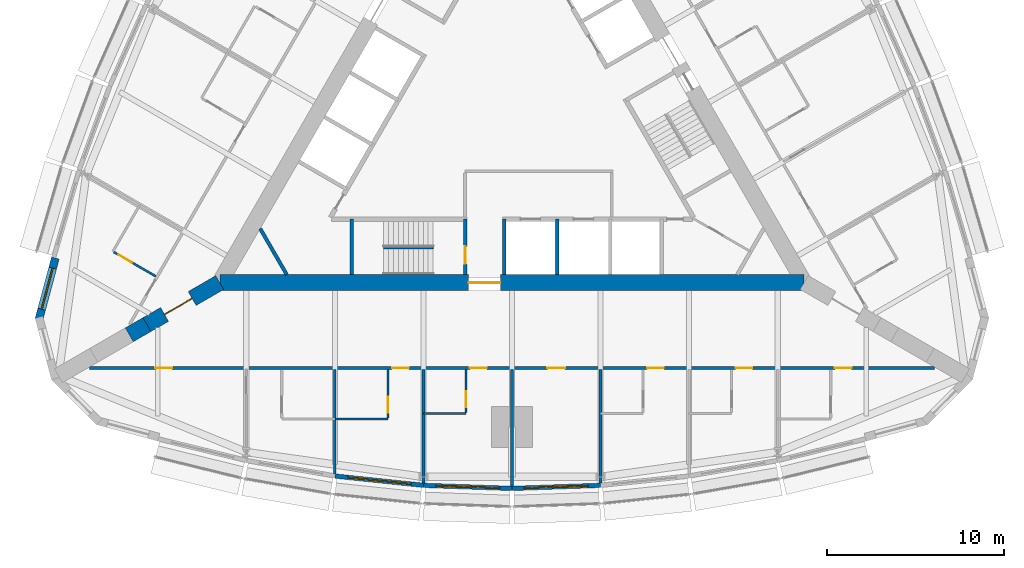
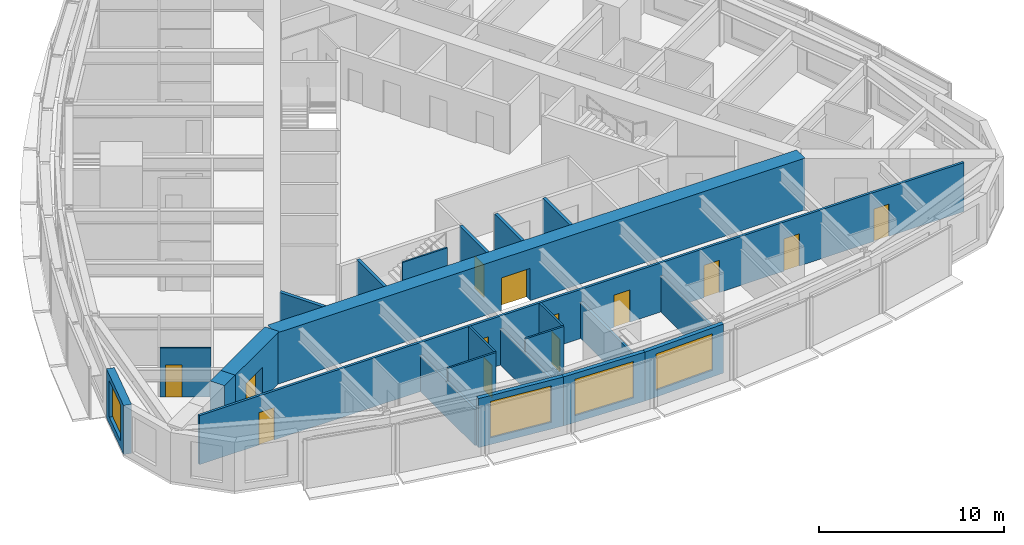
# One storey, part 8 of 14: 23 walls, 13 doors, 4 windows, 17 openings.
"""IFC4 building model written with IfcOpenShell, lengths in metres."""

import ifcopenshell
import ifcopenshell.guid

model = None  # the IFC model being written
_history = None  # IfcOwnerHistory: only IFC2X3 demands one
_inside = {}  # id of a spatial element -> (the spatial element, [elements in it])
_under = {}  # id of a project, library or spatial element -> (it, [spatial elements below it])
_declared = {}  # id of a project -> (the project, [libraries it declares])
_typed = {}  # id of a type object -> (the type object, [elements of that type])
_made_of = {}  # id of a material, layer set ... -> (it, [elements and type objects made of it])


def new_model(schema):
    """Start an empty IFC model of exactly this schema.

    Asked for "IFC4X3", IfcOpenShell would pick the latest addendum, in which some entities
    have other attributes; the version numbers below select the first issue.
    IFC2X3 requires an IfcOwnerHistory on every rooted entity: one is made here for all.
    """
    global model, _history
    if schema == "IFC4X3":
        model = ifcopenshell.file(schema_version=(4, 3, 0, 0))
    else:
        model = ifcopenshell.file(schema=schema)
    _inside.clear()
    _under.clear()
    _declared.clear()
    _typed.clear()
    _made_of.clear()
    _history = None
    if model.schema == "IFC2X3":
        org = make("IfcOrganization", Name="unknown")
        user = make(
            "IfcPersonAndOrganization",
            ThePerson=make("IfcPerson", FamilyName="unknown"),
            TheOrganization=org,
        )
        app = make(
            "IfcApplication",
            ApplicationDeveloper=org,
            Version="unknown",
            ApplicationFullName="unknown",
            ApplicationIdentifier="unknown",
        )
        _history = make(
            "IfcOwnerHistory",
            OwningUser=user,
            OwningApplication=app,
            ChangeAction="ADDED",
            CreationDate=0,
        )
    return model


def make(cls, **values):
    """One entity of the class cls with the attributes given. An attribute that is None is left unset."""
    return model.create_entity(
        cls, **{name: value for name, value in values.items() if value is not None}
    )


def rooted(cls, **values):
    """An entity with a GlobalId (a new one), such as an element, a storey or a relation."""
    return make(cls, GlobalId=ifcopenshell.guid.new(), OwnerHistory=_history, **values)


def si_unit(unit_type, name, prefix=None):
    """IfcSIUnit, for example si_unit("LENGTHUNIT", "METRE", prefix="MILLI")."""
    return make("IfcSIUnit", UnitType=unit_type, Prefix=prefix, Name=name)


def assignment(units):
    """IfcUnitAssignment: the units of a project."""
    return None if units is None else make("IfcUnitAssignment", Units=units)


def point(xyz):
    """IfcCartesianPoint."""
    return None if xyz is None else make("IfcCartesianPoint", Coordinates=xyz)


def direction(xyz):
    """IfcDirection."""
    return None if xyz is None else make("IfcDirection", DirectionRatios=xyz)


def frame(location, z_axis=None, x_axis=None):
    """IfcAxis2Placement3D, a coordinate frame: its origin and axes. An axis left out is left unset."""
    return make(
        "IfcAxis2Placement3D",
        Location=point(location),
        Axis=direction(z_axis),
        RefDirection=direction(x_axis),
    )


def frame_2d(location, x_axis=None):
    """IfcAxis2Placement2D, a coordinate frame in the plane: its origin and x axis."""
    return make(
        "IfcAxis2Placement2D", Location=point(location), RefDirection=direction(x_axis)
    )


def origin():
    """The frame at (0, 0, 0) with its axes left unset."""
    return frame((0.0, 0.0, 0.0))


def place(relative_to, where):
    """IfcLocalPlacement: puts the frame where relative to a parent placement (None: the world)."""
    return make(
        "IfcLocalPlacement", PlacementRelTo=relative_to, RelativePlacement=where
    )


def context(
    kind, dimensions, precision=None, world=None, true_north=None, identifier=None
):
    """IfcGeometricRepresentationContext, for example the 3D "Model" context."""
    return make(
        "IfcGeometricRepresentationContext",
        ContextIdentifier=identifier,
        ContextType=kind,
        CoordinateSpaceDimension=dimensions,
        Precision=precision,
        WorldCoordinateSystem=world,
        TrueNorth=true_north,
    )


def subcontext(parent, identifier, kind, view, scale=None):
    """IfcGeometricRepresentationSubContext, for example "Body" below "Model"."""
    return make(
        "IfcGeometricRepresentationSubContext",
        ContextIdentifier=identifier,
        ContextType=kind,
        ParentContext=parent,
        TargetScale=scale,
        TargetView=view,
    )


def project(units=None, contexts=None):
    """IfcProject with its units and contexts."""
    return rooted(
        "IfcProject",
        Name="project",
        RepresentationContexts=contexts,
        UnitsInContext=assignment(units),
    )


def spatial(cls, under=None, at=None, **own):
    """A site, building, storey or space (cls), placed at a placement, below another one or the project."""
    s = rooted(cls, ObjectPlacement=at, **own)
    if under is not None:
        _under.setdefault(under.id(), (under, []))[1].append(s)
    return s


def profile(cls, at=None, kind="AREA", **sizes):
    """A parametric profile (cls). Its sizes go by their IFC names, for example OverallWidth=200.0."""
    return make(cls, ProfileType=kind, Position=at, **sizes)


def rectangle(**sizes):
    """IfcRectangleProfileDef."""
    return profile("IfcRectangleProfileDef", **sizes)


def extrude(swept, where, along, depth):
    """IfcExtrudedAreaSolid: the profile swept, set in the frame where, extruded along a direction by depth."""
    return make(
        "IfcExtrudedAreaSolid",
        SweptArea=swept,
        Position=where,
        ExtrudedDirection=direction(along),
        Depth=depth,
    )


def shape(context_of_items, identifier, shape_type, items):
    """IfcShapeRepresentation: the items that make up one representation, for example the "Body"."""
    return make(
        "IfcShapeRepresentation",
        ContextOfItems=context_of_items,
        RepresentationIdentifier=identifier,
        RepresentationType=shape_type,
        Items=items,
    )


def material(Name=None, Category=None):
    """IfcMaterial."""
    return make("IfcMaterial", Name=Name, Category=Category)


def layer(
    of_material, thickness, ventilated=None, Name=None, Category=None, Priority=None
):
    """IfcMaterialLayer: one layer of a wall or slab, of a material (None: an air gap)."""
    return make(
        "IfcMaterialLayer",
        Material=of_material,
        LayerThickness=thickness,
        IsVentilated=ventilated,
        Name=Name,
        Category=Category,
        Priority=Priority,
    )


def layer_set(layers, Name=None):
    """IfcMaterialLayerSet."""
    return make("IfcMaterialLayerSet", MaterialLayers=layers, LayerSetName=Name)


def made_of(thing, what):
    """Note that an element or type object is made of a material, layer set ...; save() writes the relation."""
    if what is not None:
        _made_of.setdefault(what.id(), (what, []))[1].append(thing)
    return thing


def type_object(cls, material=None, **own):
    """A type object (cls), such as IfcWallType, which elements share."""
    return made_of(rooted(cls, **own), material)


def element(
    cls,
    number,
    at=None,
    inside=None,
    cuts=None,
    type_object=None,
    material=None,
    context=None,
    identifier="Body",
    shape_type=None,
    held_by="IfcProductDefinitionShape",
    body=None,
    shapes=None,
    **own,
):
    """One element of the class cls, such as IfcWall. Its Tag is "e" and its number.

    at: its placement. inside: the storey or other place that contains it. cuts: it is an
    opening in that element (IfcRelVoidsElement). A single representation is given by context,
    identifier, shape_type and body (its items); several are given by shapes. held_by: the class
    of the entity that holds the representations. save() writes the other relations.
    """
    e = rooted(cls, Tag="e%d" % number, ObjectPlacement=at, **own)
    if body is not None:
        shapes = [shape(context, identifier, shape_type, body)]
    if shapes is not None:
        e.Representation = make(held_by, Representations=shapes)
    if inside is not None:
        _inside.setdefault(inside.id(), (inside, []))[1].append(e)
    if cuts is not None:
        rooted(
            "IfcRelVoidsElement", RelatingBuildingElement=cuts, RelatedOpeningElement=e
        )
    if type_object is not None:
        _typed.setdefault(type_object.id(), (type_object, []))[1].append(e)
    return made_of(e, material)


def fill(opening, filler):
    """IfcRelFillsElement: the door or window that sits in an opening."""
    return rooted(
        "IfcRelFillsElement",
        RelatingOpeningElement=opening,
        RelatedBuildingElement=filler,
    )


def aggregate(whole, parts):
    """IfcRelAggregates: a whole, such as a stair, and the parts it consists of."""
    return rooted("IfcRelAggregates", RelatingObject=whole, RelatedObjects=parts)


def save(model, path):
    """Write the relations noted so far, then the file.

    IfcRelAggregates (storeys below a building ...), IfcRelContainedInSpatialStructure (elements
    in a storey), IfcRelDefinesByType, IfcRelAssociatesMaterial and IfcRelDeclares: one each for
    every whole, place, type object, material and project.
    """
    for whole, parts in _under.values():
        aggregate(whole, parts)
    for where, things in _inside.values():
        rooted(
            "IfcRelContainedInSpatialStructure",
            RelatedElements=things,
            RelatingStructure=where,
        )
    for kind, things in _typed.values():
        rooted("IfcRelDefinesByType", RelatedObjects=things, RelatingType=kind)
    for what, things in _made_of.values():
        rooted("IfcRelAssociatesMaterial", RelatedObjects=things, RelatingMaterial=what)
    for by, libraries in _declared.values():
        rooted("IfcRelDeclares", RelatingContext=by, RelatedDefinitions=libraries)
    model.write(path)


model = new_model("IFC4")

# Units and contexts
model_context = context("Model", 3, precision=1e-05, world=origin(), true_north=direction((0.0, 1.0)))
body_context = subcontext(model_context, "Body", "Model", "MODEL_VIEW")
ifc_project = project(units=[si_unit("LENGTHUNIT", "METRE"), si_unit("AREAUNIT", "SQUARE_METRE"), si_unit("VOLUMEUNIT", "CUBIC_METRE"), si_unit("PLANEANGLEUNIT", "RADIAN"), si_unit("MASSUNIT", "GRAM", prefix="KILO")], contexts=[model_context])

# Site, building, storey
site_placement = place(None, origin())
site = spatial("IfcSite", under=ifc_project, at=site_placement, CompositionType="ELEMENT")
building_placement = place(site_placement, origin())
building = spatial("IfcBuilding", under=site, at=building_placement, Name="Trikona Tower", CompositionType="ELEMENT")
storey_placement = place(building_placement, frame((0.0, 0.0, 152.10009765625)))
storey = spatial("IfcBuildingStorey", under=building, at=storey_placement, Name="L40", CompositionType="ELEMENT", Elevation=152.10009765625)

# Wall
ifc_material_1 = material(Name="Metal stud and cement board", Category="gypsum")
ifc_layer_1 = layer(ifc_material_1, 0.1201171875)
ifc_layer_set_1 = layer_set([ifc_layer_1], Name="Bathroom wall 120")
wall_type_1 = type_object("IfcWallType", Name="Bathroom wall 120", PredefinedType="PLUMBINGWALL", material=ifc_layer_set_1)
wall_1_placement = place(storey_placement, frame((-10.0, -17.226318359375, 0.0), z_axis=(0.0, 0.0, 1.0), x_axis=(1.0, 0.0, 0.0)))
element("IfcWall", 1, at=wall_1_placement, inside=storey, type_object=wall_type_1, Name="Bathroom wall 4002", PredefinedType="PLUMBINGWALL", context=body_context, shape_type="SweptSolid", body=[
    extrude(rectangle(XDim=3.0, YDim=0.1201171875, at=frame_2d((1.5, 0.0))), origin(), (0.0, 0.0, 1.0), 3.23486328125),
])

# Wall, opening, door
wall_2_placement = place(storey_placement, frame((-7.0, -14.42626953125, 0.0), z_axis=(0.0, 0.0, 1.0), x_axis=(0.0, -1.0, 0.0)))
wall_2 = element("IfcWall", 2, at=wall_2_placement, inside=storey, type_object=wall_type_1, Name="Bathroom wall 4002", PredefinedType="PLUMBINGWALL", context=body_context, shape_type="SweptSolid", body=[
    extrude(rectangle(XDim=2.739990234375, YDim=0.1201171875, at=frame_2d((1.3701171875, 0.0))), origin(), (0.0, 0.0, 1.0), 3.23486328125),
])
opening_1_placement = place(wall_2_placement, frame((1.550048828125, 0.0, 0.0)))
opening_1 = element("IfcOpeningElement", 3, at=opening_1_placement, cuts=wall_2, Name="Opening D2", PredefinedType="OPENING", context=body_context, shape_type="SweptSolid", body=[
    extrude(rectangle(XDim=0.89990234375, YDim=2.1298828125, at=frame_2d((0.449951171875, 1.06494140625))), frame((0.0, 0.070068359375, 0.0), z_axis=(0.0, -1.0, 0.0), x_axis=(1.0, 0.0, 0.0)), (0.0, 0.0, 1.0), 0.14013671875),
])
ifc_material_2 = material(Name="Steel door frame with solid-core timber leaf", Category="steel")
door_type_1 = type_object("IfcDoorType", Name="Bathroom door 900x2130", OperationType="SLIDING_TO_LEFT", PredefinedType="DOOR", material=ifc_material_2)
door_1_placement = place(opening_1_placement, origin())
door_1 = element("IfcDoor", 4, at=door_1_placement, inside=storey, type_object=door_type_1, Name="Bathroom door 4002", OperationType="SLIDING_TO_LEFT", OverallHeight=2.1298828125, OverallWidth=0.89990234375, PredefinedType="DOOR", context=body_context, shape_type="SweptSolid", body=[
    extrude(rectangle(XDim=0.89990234375, YDim=2.1298828125, at=frame_2d((0.449951171875, 1.06494140625))), frame((0.0, 0.02490234375, 0.0), z_axis=(0.0, -1.0, 0.0), x_axis=(1.0, 0.0, 0.0)), (0.0, 0.0, 1.0), 0.050048828125),
])
fill(opening_1, door_1)

# Wall
wall_3_placement = place(storey_placement, frame((-5.0, -16.92626953125, 0.0), z_axis=(0.0, 0.0, 1.0), x_axis=(1.0, 0.0, 0.0)))
element("IfcWall", 5, at=wall_3_placement, inside=storey, type_object=wall_type_1, Name="Bathroom wall 4003", PredefinedType="PLUMBINGWALL", context=body_context, shape_type="SweptSolid", body=[
    extrude(rectangle(XDim=2.39990234375, YDim=0.1201171875, at=frame_2d((1.199951171875, 0.0))), origin(), (0.0, 0.0, 1.0), 3.23486328125),
])

# Wall, opening, door
wall_4_placement = place(storey_placement, frame((-2.60009765625, -14.42626953125, 0.0), z_axis=(0.0, 0.0, 1.0), x_axis=(0.0, -1.0, 0.0)))
wall_4 = element("IfcWall", 6, at=wall_4_placement, inside=storey, type_object=wall_type_1, Name="Bathroom wall 4003", PredefinedType="PLUMBINGWALL", context=body_context, shape_type="SweptSolid", body=[
    extrude(rectangle(XDim=2.43994140625, YDim=0.1201171875, at=frame_2d((1.219970703125, 0.0))), origin(), (0.0, 0.0, 1.0), 3.23486328125),
])
opening_2_placement = place(wall_4_placement, frame((1.25, 0.0, 0.0)))
opening_2 = element("IfcOpeningElement", 7, at=opening_2_placement, cuts=wall_4, Name="Opening D2", PredefinedType="OPENING", context=body_context, shape_type="SweptSolid", body=[
    extrude(rectangle(XDim=0.89990234375, YDim=2.1298828125, at=frame_2d((0.449951171875, 1.06494140625))), frame((0.0, 0.070068359375, 0.0), z_axis=(0.0, -1.0, 0.0), x_axis=(1.0, 0.0, 0.0)), (0.0, 0.0, 1.0), 0.14013671875),
])
door_2_placement = place(opening_2_placement, origin())
door_2 = element("IfcDoor", 8, at=door_2_placement, inside=storey, type_object=door_type_1, Name="Bathroom door 4003", OperationType="SLIDING_TO_LEFT", OverallHeight=2.1298828125, OverallWidth=0.89990234375, PredefinedType="DOOR", context=body_context, shape_type="SweptSolid", body=[
    extrude(rectangle(XDim=0.89990234375, YDim=2.1298828125, at=frame_2d((0.449951171875, 1.06494140625))), frame((0.0, 0.02490234375, 0.0), z_axis=(0.0, -1.0, 0.0), x_axis=(1.0, 0.0, 0.0)), (0.0, 0.0, 1.0), 0.050048828125),
])
fill(opening_2, door_2)

wall_5_placement = place(storey_placement, frame((-20.10791015625, -9.17529296875, 0.0), z_axis=(0.0, 0.0, 1.0), x_axis=(-0.866035715982, 0.499982138324, 0.0)))
wall_5 = element("IfcWall", 9, at=wall_5_placement, inside=storey, type_object=wall_type_1, Name="Bathroom wall 4017", PredefinedType="PLUMBINGWALL", context=body_context, shape_type="SweptSolid", body=[
    extrude(rectangle(XDim=2.73974609375, YDim=0.1201171875, at=frame_2d((1.369873046875, 0.0))), origin(), (0.0, 0.0, 1.0), 3.23486328125),
])
opening_3_placement = place(wall_5_placement, frame((1.550048828125, 0.0, 0.0)))
opening_3 = element("IfcOpeningElement", 10, at=opening_3_placement, cuts=wall_5, Name="Opening D2", PredefinedType="OPENING", context=body_context, shape_type="SweptSolid", body=[
    extrude(rectangle(XDim=0.89990234375, YDim=2.1298828125, at=frame_2d((0.449951171875, 1.06494140625))), frame((0.0, 0.070068359375, 0.0), z_axis=(0.0, -1.0, 0.0), x_axis=(1.0, 0.0, 0.0)), (0.0, 0.0, 1.0), 0.14013671875),
])
door_3_placement = place(opening_3_placement, origin())
door_3 = element("IfcDoor", 11, at=door_3_placement, inside=storey, type_object=door_type_1, Name="Bathroom door 4017", OperationType="SLIDING_TO_LEFT", OverallHeight=2.1298828125, OverallWidth=0.89990234375, PredefinedType="DOOR", context=body_context, shape_type="SweptSolid", body=[
    extrude(rectangle(XDim=0.89990234375, YDim=2.1298828125, at=frame_2d((0.449951171875, 1.06494140625))), frame((0.0, 0.02490234375, 0.0), z_axis=(0.0, -1.0, 0.0), x_axis=(1.0, 0.0, 0.0)), (0.0, 0.0, 1.0), 0.050048828125),
])
fill(opening_3, door_3)

# Wall, opening, window
ifc_material_3 = material(Name="Brick-faced precast concrete", Category="masonry")
ifc_layer_2 = layer(ifc_material_3, 0.449951171875)
ifc_layer_set_2 = layer_set([ifc_layer_2], Name="Brick-faced corner wall 450")
wall_type_2 = type_object("IfcWallType", Name="Brick-faced corner wall 450", PredefinedType="SOLIDWALL", material=ifc_layer_set_2)
wall_6_placement = place(storey_placement, frame((-25.78271484375, -8.14111328125, 0.0), z_axis=(0.0, 0.0, 1.0), x_axis=(-0.258823421857, -0.965924653531, 0.0)))
wall_6 = element("IfcWall", 12, at=wall_6_placement, inside=storey, type_object=wall_type_2, Name="External wall L40-32", PredefinedType="SOLIDWALL", context=body_context, shape_type="SweptSolid", body=[
    extrude(rectangle(XDim=3.58642578125, YDim=0.449951171875, at=frame_2d((1.793212890625, 0.0))), origin(), (0.0, 0.0, 1.0), 3.23486328125),
])
opening_4_placement = place(wall_6_placement, frame((0.593017578125, 0.0, 0.449951171875)))
opening_4 = element("IfcOpeningElement", 13, at=opening_4_placement, cuts=wall_6, Name="Opening W2424", PredefinedType="OPENING", context=body_context, shape_type="SweptSolid", body=[
    extrude(rectangle(XDim=2.39990234375, YDim=2.39990234375, at=frame_2d((1.199951171875, 1.199951171875))), frame((0.0, 0.23486328125, 0.0), z_axis=(0.0, -1.0, 0.0), x_axis=(1.0, 0.0, 0.0)), (0.0, 0.0, 1.0), 0.469970703125),
])
ifc_material_4 = material(Name="Aluminium-framed double glazing", Category="aluminium")
window_type_1 = type_object("IfcWindowType", Name="Window 2400x2400", PartitioningType="SINGLE_PANEL", PredefinedType="WINDOW", material=ifc_material_4)
window_1_placement = place(opening_4_placement, origin())
window_1 = element("IfcWindow", 14, at=window_1_placement, inside=storey, type_object=window_type_1, Name="Window 4017", OverallHeight=2.39990234375, OverallWidth=2.39990234375, PartitioningType="SINGLE_PANEL", PredefinedType="WINDOW", context=body_context, shape_type="SweptSolid", body=[
    extrude(rectangle(XDim=2.39990234375, YDim=2.39990234375, at=frame_2d((1.199951171875, 1.199951171875))), frame((0.0, 0.030029296875, 0.0), z_axis=(0.0, -1.0, 0.0), x_axis=(1.0, 0.0, 0.0)), (0.0, 0.0, 1.0), 0.06005859375),
])
fill(opening_4, window_1)

# Wall, opening, door
ifc_material_5 = material(Name="Concrete f'c 10000 psi", Category="concrete")
ifc_layer_3 = layer(ifc_material_5, 0.89990234375)
ifc_layer_set_3 = layer_set([ifc_layer_3], Name="Buttress wall 900")
wall_type_3 = type_object("IfcWallType", Name="Buttress wall 900", PredefinedType="SHEAR", material=ifc_layer_set_3)
wall_7_placement = place(storey_placement, frame((-16.5, -9.5263671875, 0.0), z_axis=(0.0, 0.0, 1.0), x_axis=(-0.866031398331, -0.499989616998, 0.0)))
wall_7 = element("IfcWall", 15, at=wall_7_placement, inside=storey, type_object=wall_type_3, Name="Buttress wall 3", PredefinedType="SHEAR", context=body_context, shape_type="SweptSolid", body=[
    extrude(rectangle(XDim=4.74609375, YDim=0.89990234375, at=frame_2d((2.373046875, 0.0))), origin(), (0.0, 0.0, 1.0), 3.39990234375),
])
opening_5_placement = place(wall_7_placement, frame((1.800048828125, 0.0, 0.0)))
opening_5 = element("IfcOpeningElement", 16, at=opening_5_placement, cuts=wall_7, Name="Opening D10", PredefinedType="OPENING", context=body_context, shape_type="SweptSolid", body=[
    extrude(rectangle(XDim=1.800048828125, YDim=2.1298828125, at=frame_2d((0.89990234375, 1.06494140625))), frame((0.0, 0.4599609375, 0.0), z_axis=(0.0, -1.0, 0.0), x_axis=(1.0, 0.0, 0.0)), (0.0, 0.0, 1.0), 0.919921875),
])
ifc_material_6 = material(Name="Hollow metal door and frame", Category="steel")
door_type_2 = type_object("IfcDoorType", Name="Cross-corridor door pair 1800x2130", OperationType="DOUBLE_DOOR_DOUBLE_SWING", PredefinedType="DOOR", material=ifc_material_6)
door_4_placement = place(opening_5_placement, origin())
door_4 = element("IfcDoor", 17, at=door_4_placement, inside=storey, type_object=door_type_2, Name="Cross-corridor door 3", OperationType="DOUBLE_DOOR_DOUBLE_SWING", OverallHeight=2.1298828125, OverallWidth=1.800048828125, PredefinedType="DOOR", context=body_context, shape_type="SweptSolid", body=[
    extrude(rectangle(XDim=1.800048828125, YDim=2.1298828125, at=frame_2d((0.89990234375, 1.06494140625))), frame((0.0, 0.02490234375, 0.0), z_axis=(0.0, -1.0, 0.0), x_axis=(1.0, 0.0, 0.0)), (0.0, 0.0, 1.0), 0.050048828125),
])
fill(opening_5, door_4)

# Wall
wall_8_placement = place(storey_placement, frame((-20.6103515625, -11.8994140625, 0.0), z_axis=(0.0, 0.0, 1.0), x_axis=(-0.866009537788, -0.500027479704, 0.0)))
element("IfcWall", 18, at=wall_8_placement, inside=storey, type_object=wall_type_3, Name="Buttress wall 3 part 2", PredefinedType="SHEAR", context=body_context, shape_type="SweptSolid", body=[
    extrude(rectangle(XDim=1.15478515625, YDim=0.89990234375, at=frame_2d((0.577392578125, 0.0))), origin(), (0.0, 0.0, 1.0), 3.39990234375),
])

# Wall, opening, door
ifc_material_7 = material(Name="Concrete f'c 10000 psi", Category="concrete")
ifc_layer_4 = layer(ifc_material_7, 0.89990234375)
ifc_layer_set_4 = layer_set([ifc_layer_4], Name="Core wall 900")
wall_type_4 = type_object("IfcWallType", Name="Core wall 900", PredefinedType="SHEAR", material=ifc_layer_set_4)
wall_9_placement = place(storey_placement, frame((-16.5, -9.5263671875, 0.0), z_axis=(0.0, 0.0, 1.0), x_axis=(1.0, 0.0, 0.0)))
wall_9 = element("IfcWall", 19, at=wall_9_placement, inside=storey, type_object=wall_type_4, Name="Core wall A", PredefinedType="SHEAR", context=body_context, shape_type="SweptSolid", body=[
    extrude(rectangle(XDim=33.0, YDim=0.89990234375, at=frame_2d((16.5, 0.0))), origin(), (0.0, 0.0, 1.0), 3.39990234375),
])
opening_6_placement = place(wall_9_placement, frame((14.050048828125, 0.0, 0.0)))
opening_6 = element("IfcOpeningElement", 20, at=opening_6_placement, cuts=wall_9, Name="Opening D6", PredefinedType="OPENING", context=body_context, shape_type="SweptSolid", body=[
    extrude(rectangle(XDim=1.800048828125, YDim=2.1298828125, at=frame_2d((0.89990234375, 1.06494140625))), frame((0.0, 0.4599609375, 0.0), z_axis=(0.0, -1.0, 0.0), x_axis=(1.0, 0.0, 0.0)), (0.0, 0.0, 1.0), 0.919921875),
])
ifc_material_8 = material(Name="Hollow metal door and frame", Category="steel")
door_type_3 = type_object("IfcDoorType", Name="Lobby door pair 1800x2130", OperationType="DOUBLE_DOOR_SINGLE_SWING", PredefinedType="DOOR", material=ifc_material_8)
door_5_placement = place(opening_6_placement, origin())
door_5 = element("IfcDoor", 21, at=door_5_placement, inside=storey, type_object=door_type_3, Name="Fire service lift lobby door", OperationType="DOUBLE_DOOR_SINGLE_SWING", OverallHeight=2.1298828125, OverallWidth=1.800048828125, PredefinedType="DOOR", context=body_context, shape_type="SweptSolid", body=[
    extrude(rectangle(XDim=1.800048828125, YDim=2.1298828125, at=frame_2d((0.89990234375, 1.06494140625))), frame((0.0, 0.02490234375, 0.0), z_axis=(0.0, -1.0, 0.0), x_axis=(1.0, 0.0, 0.0)), (0.0, 0.0, 1.0), 0.050048828125),
])
fill(opening_6, door_5)

# Wall, openings, doors
ifc_material_9 = material(Name="Metal stud and gypsum board, 1-hour", Category="gypsum")
ifc_layer_5 = layer(ifc_material_9, 0.14990234375)
ifc_layer_set_5 = layer_set([ifc_layer_5], Name="Corridor wall 150")
wall_type_5 = type_object("IfcWallType", Name="Corridor wall 150", PredefinedType="PARTITIONING", material=ifc_layer_set_5)
wall_10_placement = place(storey_placement, frame((-23.857177734375, -14.351318359375, 0.0), z_axis=(0.0, 0.0, 1.0), x_axis=(1.0, 0.0, 0.0)))
wall_10 = element("IfcWall", 22, at=wall_10_placement, inside=storey, type_object=wall_type_5, Name="Corridor wall L40-1", PredefinedType="PARTITIONING", context=body_context, shape_type="SweptSolid", body=[
    extrude(rectangle(XDim=47.71435546875, YDim=0.14990234375, at=frame_2d((23.857177734375, 0.0))), origin(), (0.0, 0.0, 1.0), 3.23486328125),
])
opening_7_placement = place(wall_10_placement, frame((3.723388671875, 0.0, 0.0)))
opening_7 = element("IfcOpeningElement", 23, at=opening_7_placement, cuts=wall_10, Name="Opening D1", PredefinedType="OPENING", context=body_context, shape_type="SweptSolid", body=[
    extrude(rectangle(XDim=0.949951171875, YDim=2.1298828125, at=frame_2d((0.47509765625, 1.06494140625))), frame((0.0, 0.0849609375, 0.0), z_axis=(0.0, -1.0, 0.0), x_axis=(1.0, 0.0, 0.0)), (0.0, 0.0, 1.0), 0.169921875),
])
opening_8_placement = place(wall_10_placement, frame((17.08203125, 0.0, 0.0)))
opening_8 = element("IfcOpeningElement", 24, at=opening_8_placement, cuts=wall_10, Name="Opening D1", PredefinedType="OPENING", context=body_context, shape_type="SweptSolid", body=[
    extrude(rectangle(XDim=0.949951171875, YDim=2.1298828125, at=frame_2d((0.47509765625, 1.06494140625))), frame((0.0, 0.0849609375, 0.0), z_axis=(0.0, -1.0, 0.0), x_axis=(1.0, 0.0, 0.0)), (0.0, 0.0, 1.0), 0.169921875),
])
opening_9_placement = place(wall_10_placement, frame((21.482177734375, 0.0, 0.0)))
opening_9 = element("IfcOpeningElement", 25, at=opening_9_placement, cuts=wall_10, Name="Opening D1", PredefinedType="OPENING", context=body_context, shape_type="SweptSolid", body=[
    extrude(rectangle(XDim=0.949951171875, YDim=2.1298828125, at=frame_2d((0.47509765625, 1.06494140625))), frame((0.0, 0.0849609375, 0.0), z_axis=(0.0, -1.0, 0.0), x_axis=(1.0, 0.0, 0.0)), (0.0, 0.0, 1.0), 0.169921875),
])
opening_10_placement = place(wall_10_placement, frame((25.857177734375, 0.0, 0.0)))
opening_10 = element("IfcOpeningElement", 26, at=opening_10_placement, cuts=wall_10, Name="Opening D3", PredefinedType="OPENING", context=body_context, shape_type="SweptSolid", body=[
    extrude(rectangle(XDim=1.0, YDim=2.1298828125, at=frame_2d((0.5, 1.06494140625))), frame((0.0, 0.0849609375, 0.0), z_axis=(0.0, -1.0, 0.0), x_axis=(1.0, 0.0, 0.0)), (0.0, 0.0, 1.0), 0.169921875),
])
opening_11_placement = place(wall_10_placement, frame((31.482177734375, 0.0, 0.0)))
opening_11 = element("IfcOpeningElement", 27, at=opening_11_placement, cuts=wall_10, Name="Opening D1", PredefinedType="OPENING", context=body_context, shape_type="SweptSolid", body=[
    extrude(rectangle(XDim=0.949951171875, YDim=2.1298828125, at=frame_2d((0.47509765625, 1.06494140625))), frame((0.0, 0.0849609375, 0.0), z_axis=(0.0, -1.0, 0.0), x_axis=(1.0, 0.0, 0.0)), (0.0, 0.0, 1.0), 0.169921875),
])
opening_12_placement = place(wall_10_placement, frame((36.482177734375, 0.0, 0.0)))
opening_12 = element("IfcOpeningElement", 28, at=opening_12_placement, cuts=wall_10, Name="Opening D1", PredefinedType="OPENING", context=body_context, shape_type="SweptSolid", body=[
    extrude(rectangle(XDim=0.949951171875, YDim=2.1298828125, at=frame_2d((0.47509765625, 1.06494140625))), frame((0.0, 0.0849609375, 0.0), z_axis=(0.0, -1.0, 0.0), x_axis=(1.0, 0.0, 0.0)), (0.0, 0.0, 1.0), 0.169921875),
])
opening_13_placement = place(wall_10_placement, frame((42.08203125, 0.0, 0.0)))
opening_13 = element("IfcOpeningElement", 29, at=opening_13_placement, cuts=wall_10, Name="Opening D1", PredefinedType="OPENING", context=body_context, shape_type="SweptSolid", body=[
    extrude(rectangle(XDim=0.949951171875, YDim=2.1298828125, at=frame_2d((0.47509765625, 1.06494140625))), frame((0.0, 0.0849609375, 0.0), z_axis=(0.0, -1.0, 0.0), x_axis=(1.0, 0.0, 0.0)), (0.0, 0.0, 1.0), 0.169921875),
])
ifc_material_10 = material(Name="Steel door frame with solid-core timber leaf", Category="steel")
door_type_4 = type_object("IfcDoorType", Name="Guest room door 950x2130", OperationType="SINGLE_SWING_LEFT", PredefinedType="DOOR", material=ifc_material_10)
door_6_placement = place(opening_7_placement, origin())
door_6 = element("IfcDoor", 30, at=door_6_placement, inside=storey, type_object=door_type_4, Name="Room door 4001", OperationType="SINGLE_SWING_LEFT", OverallHeight=2.1298828125, OverallWidth=0.949951171875, PredefinedType="DOOR", context=body_context, shape_type="SweptSolid", body=[
    extrude(rectangle(XDim=0.949951171875, YDim=2.1298828125, at=frame_2d((0.47509765625, 1.06494140625))), frame((0.0, 0.02490234375, 0.0), z_axis=(0.0, -1.0, 0.0), x_axis=(1.0, 0.0, 0.0)), (0.0, 0.0, 1.0), 0.050048828125),
])
fill(opening_7, door_6)
door_7_placement = place(opening_8_placement, origin())
door_7 = element("IfcDoor", 31, at=door_7_placement, inside=storey, type_object=door_type_4, Name="Room door 4002", OperationType="SINGLE_SWING_RIGHT", OverallHeight=2.1298828125, OverallWidth=0.949951171875, PredefinedType="DOOR", context=body_context, shape_type="SweptSolid", body=[
    extrude(rectangle(XDim=0.949951171875, YDim=2.1298828125, at=frame_2d((0.47509765625, 1.06494140625))), frame((0.0, 0.02490234375, 0.0), z_axis=(0.0, -1.0, 0.0), x_axis=(1.0, 0.0, 0.0)), (0.0, 0.0, 1.0), 0.050048828125),
])
fill(opening_8, door_7)
door_8_placement = place(opening_9_placement, origin())
door_8 = element("IfcDoor", 32, at=door_8_placement, inside=storey, type_object=door_type_4, Name="Room door 4003", OperationType="SINGLE_SWING_LEFT", OverallHeight=2.1298828125, OverallWidth=0.949951171875, PredefinedType="DOOR", context=body_context, shape_type="SweptSolid", body=[
    extrude(rectangle(XDim=0.949951171875, YDim=2.1298828125, at=frame_2d((0.47509765625, 1.06494140625))), frame((0.0, 0.02490234375, 0.0), z_axis=(0.0, -1.0, 0.0), x_axis=(1.0, 0.0, 0.0)), (0.0, 0.0, 1.0), 0.050048828125),
])
fill(opening_9, door_8)
door_9_placement = place(opening_11_placement, origin())
door_9 = element("IfcDoor", 33, at=door_9_placement, inside=storey, type_object=door_type_4, Name="Room door 4004", OperationType="SINGLE_SWING_LEFT", OverallHeight=2.1298828125, OverallWidth=0.949951171875, PredefinedType="DOOR", context=body_context, shape_type="SweptSolid", body=[
    extrude(rectangle(XDim=0.949951171875, YDim=2.1298828125, at=frame_2d((0.47509765625, 1.06494140625))), frame((0.0, 0.02490234375, 0.0), z_axis=(0.0, -1.0, 0.0), x_axis=(1.0, 0.0, 0.0)), (0.0, 0.0, 1.0), 0.050048828125),
])
fill(opening_11, door_9)
door_10_placement = place(opening_12_placement, origin())
door_10 = element("IfcDoor", 34, at=door_10_placement, inside=storey, type_object=door_type_4, Name="Room door 4005", OperationType="SINGLE_SWING_RIGHT", OverallHeight=2.1298828125, OverallWidth=0.949951171875, PredefinedType="DOOR", context=body_context, shape_type="SweptSolid", body=[
    extrude(rectangle(XDim=0.949951171875, YDim=2.1298828125, at=frame_2d((0.47509765625, 1.06494140625))), frame((0.0, 0.02490234375, 0.0), z_axis=(0.0, -1.0, 0.0), x_axis=(1.0, 0.0, 0.0)), (0.0, 0.0, 1.0), 0.050048828125),
])
fill(opening_12, door_10)
door_11_placement = place(opening_13_placement, origin())
door_11 = element("IfcDoor", 35, at=door_11_placement, inside=storey, type_object=door_type_4, Name="Room door 4006", OperationType="SINGLE_SWING_LEFT", OverallHeight=2.1298828125, OverallWidth=0.949951171875, PredefinedType="DOOR", context=body_context, shape_type="SweptSolid", body=[
    extrude(rectangle(XDim=0.949951171875, YDim=2.1298828125, at=frame_2d((0.47509765625, 1.06494140625))), frame((0.0, 0.02490234375, 0.0), z_axis=(0.0, -1.0, 0.0), x_axis=(1.0, 0.0, 0.0)), (0.0, 0.0, 1.0), 0.050048828125),
])
fill(opening_13, door_11)
ifc_material_11 = material(Name="Steel door frame with solid-core timber leaf", Category="steel")
door_type_5 = type_object("IfcDoorType", Name="Room door 1000x2130", OperationType="SINGLE_SWING_LEFT", PredefinedType="DOOR", material=ifc_material_11)
door_12_placement = place(opening_10_placement, origin())
door_12 = element("IfcDoor", 36, at=door_12_placement, inside=storey, type_object=door_type_5, Name="Door Housekeeping pantry", OperationType="SINGLE_SWING_RIGHT", OverallHeight=2.1298828125, OverallWidth=1.0, PredefinedType="DOOR", context=body_context, shape_type="SweptSolid", body=[
    extrude(rectangle(XDim=1.0, YDim=2.1298828125, at=frame_2d((0.5, 1.06494140625))), frame((0.0, 0.02490234375, 0.0), z_axis=(0.0, -1.0, 0.0), x_axis=(1.0, 0.0, 0.0)), (0.0, 0.0, 1.0), 0.050048828125),
])
fill(opening_10, door_12)

# Wall, opening, window
ifc_material_12 = material(Name="Insulated precast concrete spandrel panel", Category="concrete")
ifc_layer_6 = layer(ifc_material_12, 0.25)
ifc_layer_set_6 = layer_set([ifc_layer_6], Name="Inner skin wall 250")
wall_type_6 = type_object("IfcWallType", Name="Inner skin wall 250", PredefinedType="STANDARD", material=ifc_layer_set_6)
wall_11_placement = place(storey_placement, frame((-9.98681640625, -20.450927734375, 0.0), z_axis=(0.0, 0.0, 1.0), x_axis=(0.994534683851, -0.104406717299, 0.0)))
wall_11 = element("IfcWall", 37, at=wall_11_placement, inside=storey, type_object=wall_type_6, Name="External wall L40-02", PredefinedType="STANDARD", context=body_context, shape_type="SweptSolid", body=[
    extrude(rectangle(XDim=5.027587890625, YDim=0.25, at=frame_2d((2.513671875, 0.0))), origin(), (0.0, 0.0, 1.0), 3.23486328125),
])
opening_14_placement = place(wall_11_placement, frame((0.713623046875, 0.0, 0.449951171875)))
opening_14 = element("IfcOpeningElement", 38, at=opening_14_placement, cuts=wall_11, Name="Opening W3624", PredefinedType="OPENING", context=body_context, shape_type="SweptSolid", body=[
    extrude(rectangle(XDim=3.60009765625, YDim=2.39990234375, at=frame_2d((1.800048828125, 1.199951171875))), frame((0.0, 0.135009765625, 0.0), z_axis=(0.0, -1.0, 0.0), x_axis=(1.0, 0.0, 0.0)), (0.0, 0.0, 1.0), 0.27001953125),
])
ifc_material_13 = material(Name="Aluminium-framed double glazing", Category="aluminium")
window_type_2 = type_object("IfcWindowType", Name="Window 3600x2400", PartitioningType="SINGLE_PANEL", PredefinedType="WINDOW", material=ifc_material_13)
window_2_placement = place(opening_14_placement, origin())
window_2 = element("IfcWindow", 39, at=window_2_placement, inside=storey, type_object=window_type_2, Name="Window 4002", OverallHeight=2.39990234375, OverallWidth=3.60009765625, PartitioningType="SINGLE_PANEL", PredefinedType="WINDOW", context=body_context, shape_type="SweptSolid", body=[
    extrude(rectangle(XDim=3.60009765625, YDim=2.39990234375, at=frame_2d((1.800048828125, 1.199951171875))), frame((0.0, 0.030029296875, 0.0), z_axis=(0.0, -1.0, 0.0), x_axis=(1.0, 0.0, 0.0)), (0.0, 0.0, 1.0), 0.06005859375),
])
fill(opening_14, window_2)

wall_12_placement = place(storey_placement, frame((-4.99560546875, -20.975341796875, 0.0), z_axis=(0.0, 0.0, 1.0), x_axis=(0.999387720943, -0.034988329879, 0.0)))
wall_12 = element("IfcWall", 40, at=wall_12_placement, inside=storey, type_object=wall_type_6, Name="External wall L40-03", PredefinedType="STANDARD", context=body_context, shape_type="SweptSolid", body=[
    extrude(rectangle(XDim=5.003173828125, YDim=0.25, at=frame_2d((2.50146484375, 0.0))), origin(), (0.0, 0.0, 1.0), 3.23486328125),
])
opening_15_placement = place(wall_12_placement, frame((0.701416015625, 0.0, 0.449951171875)))
opening_15 = element("IfcOpeningElement", 41, at=opening_15_placement, cuts=wall_12, Name="Opening W3624", PredefinedType="OPENING", context=body_context, shape_type="SweptSolid", body=[
    extrude(rectangle(XDim=3.60009765625, YDim=2.39990234375, at=frame_2d((1.800048828125, 1.199951171875))), frame((0.0, 0.135009765625, 0.0), z_axis=(0.0, -1.0, 0.0), x_axis=(1.0, 0.0, 0.0)), (0.0, 0.0, 1.0), 0.27001953125),
])
window_3_placement = place(opening_15_placement, origin())
window_3 = element("IfcWindow", 42, at=window_3_placement, inside=storey, type_object=window_type_2, Name="Window 4003", OverallHeight=2.39990234375, OverallWidth=3.60009765625, PartitioningType="SINGLE_PANEL", PredefinedType="WINDOW", context=body_context, shape_type="SweptSolid", body=[
    extrude(rectangle(XDim=3.60009765625, YDim=2.39990234375, at=frame_2d((1.800048828125, 1.199951171875))), frame((0.0, 0.030029296875, 0.0), z_axis=(0.0, -1.0, 0.0), x_axis=(1.0, 0.0, 0.0)), (0.0, 0.0, 1.0), 0.06005859375),
])
fill(opening_15, window_3)

wall_13_placement = place(storey_placement, frame((-0.00439453125, -21.150390625, 0.0), z_axis=(0.0, 0.0, 1.0), x_axis=(0.999387720943, 0.034988329879, 0.0)))
wall_13 = element("IfcWall", 43, at=wall_13_placement, inside=storey, type_object=wall_type_6, Name="External wall L40-04", PredefinedType="STANDARD", context=body_context, shape_type="SweptSolid", body=[
    extrude(rectangle(XDim=5.003173828125, YDim=0.25, at=frame_2d((2.50146484375, 0.0))), origin(), (0.0, 0.0, 1.0), 3.23486328125),
])
opening_16_placement = place(wall_13_placement, frame((0.701416015625, 0.0, 0.449951171875)))
opening_16 = element("IfcOpeningElement", 44, at=opening_16_placement, cuts=wall_13, Name="Opening W3624", PredefinedType="OPENING", context=body_context, shape_type="SweptSolid", body=[
    extrude(rectangle(XDim=3.60009765625, YDim=2.39990234375, at=frame_2d((1.800048828125, 1.199951171875))), frame((0.0, 0.135009765625, 0.0), z_axis=(0.0, -1.0, 0.0), x_axis=(1.0, 0.0, 0.0)), (0.0, 0.0, 1.0), 0.27001953125),
])
window_4_placement = place(opening_16_placement, origin())
window_4 = element("IfcWindow", 45, at=window_4_placement, inside=storey, type_object=window_type_2, Name="Window L40-HKP", OverallHeight=2.39990234375, OverallWidth=3.60009765625, PartitioningType="SINGLE_PANEL", PredefinedType="WINDOW", context=body_context, shape_type="SweptSolid", body=[
    extrude(rectangle(XDim=3.60009765625, YDim=2.39990234375, at=frame_2d((1.800048828125, 1.199951171875))), frame((0.0, 0.030029296875, 0.0), z_axis=(0.0, -1.0, 0.0), x_axis=(1.0, 0.0, 0.0)), (0.0, 0.0, 1.0), 0.06005859375),
])
fill(opening_16, window_4)

# Walls
ifc_material_14 = material(Name="Metal stud and gypsum board, 1-hour acoustic", Category="gypsum")
ifc_layer_7 = layer(ifc_material_14, 0.14990234375)
ifc_layer_set_7 = layer_set([ifc_layer_7], Name="Party wall 150")
wall_type_7 = type_object("IfcWallType", Name="Party wall 150", PredefinedType="PARTITIONING", material=ifc_layer_set_7)
wall_14_placement = place(storey_placement, frame((-10.0, -14.42626953125, 0.0), z_axis=(0.0, 0.0, 1.0), x_axis=(0.0, -1.0, 0.0)))
element("IfcWall", 46, at=wall_14_placement, inside=storey, type_object=wall_type_7, Name="Partition L40 F1 u-10", PredefinedType="PARTITIONING", context=body_context, shape_type="SweptSolid", body=[
    extrude(rectangle(XDim=5.89501953125, YDim=0.14990234375, at=frame_2d((2.947509765625, 0.0))), origin(), (0.0, 0.0, 1.0), 2.38916015625),
])
wall_15_placement = place(storey_placement, frame((-5.0, -14.42626953125, 0.0), z_axis=(0.0, 0.0, 1.0), x_axis=(0.0, -1.0, 0.0)))
element("IfcWall", 47, at=wall_15_placement, inside=storey, type_object=wall_type_7, Name="Partition L40 F1 u-5", PredefinedType="PARTITIONING", context=body_context, shape_type="SweptSolid", body=[
    extrude(rectangle(XDim=6.422607421875, YDim=0.14990234375, at=frame_2d((3.21142578125, 0.0))), origin(), (0.0, 0.0, 1.0), 2.38916015625),
])
wall_16_placement = place(storey_placement, frame((0.0, -14.42626953125, 0.0), z_axis=(0.0, 0.0, 1.0), x_axis=(0.0, -1.0, 0.0)))
element("IfcWall", 48, at=wall_16_placement, inside=storey, type_object=wall_type_7, Name="Partition L40 F1 u-9.86076e-31", PredefinedType="PARTITIONING", context=body_context, shape_type="SweptSolid", body=[
    extrude(rectangle(XDim=6.5986328125, YDim=0.14990234375, at=frame_2d((3.29931640625, 0.0))), origin(), (0.0, 0.0, 1.0), 2.38916015625),
])
wall_17_placement = place(storey_placement, frame((5.0, -14.42626953125, 0.0), z_axis=(0.0, 0.0, 1.0), x_axis=(0.0, -1.0, 0.0)))
element("IfcWall", 49, at=wall_17_placement, inside=storey, type_object=wall_type_7, Name="Partition L40 F1 u5", PredefinedType="PARTITIONING", context=body_context, shape_type="SweptSolid", body=[
    extrude(rectangle(XDim=6.422607421875, YDim=0.14990234375, at=frame_2d((3.21142578125, 0.0))), origin(), (0.0, 0.0, 1.0), 2.38916015625),
])
ifc_material_15 = material(Name="Concrete f'c 8000 psi", Category="concrete")
ifc_layer_8 = layer(ifc_material_15, 0.199951171875)
ifc_layer_set_8 = layer_set([ifc_layer_8], Name="Shaft wall 200")
wall_type_8 = type_object("IfcWallType", Name="Shaft wall 200", PredefinedType="SOLIDWALL", material=ifc_layer_set_8)
for number, where, z_axis, x_axis, name in (
    (50, (-0.449951171875, -5.951416015625, 0.0), (0.0, 0.0, 1.0), (0.0, -1.0, 0.0), "Shaft wall A3"),
    (51, (2.550048828125, -5.951416015625, 0.0), (0.0, 0.0, 1.0), (0.0, -1.0, 0.0), "Shaft wall A4"),
):
    element("IfcWall", number, at=place(storey_placement, frame(where, z_axis=z_axis, x_axis=x_axis)), inside=storey, type_object=wall_type_8, Name=name, PredefinedType="SOLIDWALL", context=body_context, shape_type="SweptSolid", body=[
        extrude(rectangle(XDim=3.125, YDim=0.199951171875, at=frame_2d((1.5625, 0.0))), origin(), (0.0, 0.0, 1.0), 3.23486328125),
    ])
wall_18_placement = place(storey_placement, frame((-12.718505859375, -9.076416015625, 0.0), z_axis=(0.0, 0.0, 1.0), x_axis=(-0.499952404951, 0.866052881055, 0.0)))
element("IfcWall", 52, at=wall_18_placement, inside=storey, type_object=wall_type_8, Name="Riser wall L40-RS3", PredefinedType="SOLIDWALL", context=body_context, shape_type="SweptSolid", body=[
    extrude(rectangle(XDim=3.002197265625, YDim=0.199951171875, at=frame_2d((1.5009765625, 0.0))), origin(), (0.0, 0.0, 1.0), 3.23486328125),
])
ifc_material_16 = material(Name="Concrete f'c 8000 psi", Category="concrete")
ifc_layer_9 = layer(ifc_material_16, 0.199951171875)
ifc_layer_set_9 = layer_set([ifc_layer_9], Name="Shaft wall 200 load-bearing")
wall_type_9 = type_object("IfcWallType", Name="Shaft wall 200 load-bearing", PredefinedType="SOLIDWALL", material=ifc_layer_set_9)
wall_19_placement = place(storey_placement, frame((-9.050048828125, -5.951416015625, 0.0), z_axis=(0.0, 0.0, 1.0), x_axis=(0.0, -1.0, 0.0)))
element("IfcWall", 53, at=wall_19_placement, inside=storey, type_object=wall_type_9, Name="Shaft wall A1", PredefinedType="SOLIDWALL", context=body_context, shape_type="SweptSolid", body=[
    extrude(rectangle(XDim=3.125, YDim=0.199951171875, at=frame_2d((1.5625, 0.0))), origin(), (0.0, 0.0, 1.0), 3.23486328125),
])

# Wall, opening, door
wall_20_placement = place(storey_placement, frame((-2.64990234375, -5.951416015625, 0.0), z_axis=(0.0, 0.0, 1.0), x_axis=(0.0, -1.0, 0.0)))
wall_20 = element("IfcWall", 54, at=wall_20_placement, inside=storey, type_object=wall_type_9, Name="Shaft wall A2", PredefinedType="SOLIDWALL", context=body_context, shape_type="SweptSolid", body=[
    extrude(rectangle(XDim=3.125, YDim=0.199951171875, at=frame_2d((1.5625, 0.0))), origin(), (0.0, 0.0, 1.0), 3.23486328125),
])
opening_17_placement = place(wall_20_placement, frame((1.52490234375, 0.0, 0.0)))
opening_17 = element("IfcOpeningElement", 55, at=opening_17_placement, cuts=wall_20, Name="Opening D5", PredefinedType="OPENING", context=body_context, shape_type="SweptSolid", body=[
    extrude(rectangle(XDim=1.0, YDim=2.1298828125, at=frame_2d((0.5, 1.06494140625))), frame((0.0, 0.10986328125, 0.0), z_axis=(0.0, -1.0, 0.0), x_axis=(1.0, 0.0, 0.0)), (0.0, 0.0, 1.0), 0.219970703125),
])
ifc_material_17 = material(Name="Hollow metal door and frame", Category="steel")
door_type_6 = type_object("IfcDoorType", Name="Stair door 1000x2130", OperationType="SINGLE_SWING_LEFT", PredefinedType="DOOR", material=ifc_material_17)
door_13_placement = place(opening_17_placement, origin())
door_13 = element("IfcDoor", 56, at=door_13_placement, inside=storey, type_object=door_type_6, Name="Stair A door", OperationType="SINGLE_SWING_RIGHT", OverallHeight=2.1298828125, OverallWidth=1.0, PredefinedType="DOOR", context=body_context, shape_type="SweptSolid", body=[
    extrude(rectangle(XDim=1.0, YDim=2.1298828125, at=frame_2d((0.5, 1.06494140625))), frame((0.0, 0.02490234375, 0.0), z_axis=(0.0, -1.0, 0.0), x_axis=(1.0, 0.0, 0.0)), (0.0, 0.0, 1.0), 0.050048828125),
])
fill(opening_17, door_13)

# Wall
ifc_material_18 = material(Name="Concrete f'c 5000 psi", Category="concrete")
ifc_layer_10 = layer(ifc_material_18, 0.10009765625)
ifc_layer_set_10 = layer_set([ifc_layer_10], Name="Stair spine wall 100")
wall_type_10 = type_object("IfcWallType", Name="Stair spine wall 100", PredefinedType="SOLIDWALL", material=ifc_layer_set_10)
wall_21_placement = place(storey_placement, frame((-7.2470703125, -7.576416015625, 0.0), z_axis=(0.0, 0.0, 1.0), x_axis=(1.0, 0.0, 0.0)))
element("IfcWall", 57, at=wall_21_placement, inside=storey, type_object=wall_type_10, Name="Stair A spine wall L40", PredefinedType="SOLIDWALL", context=body_context, shape_type="SweptSolid", body=[
    extrude(rectangle(XDim=2.794189453125, YDim=0.10009765625, at=frame_2d((1.39697265625, 0.0))), origin(), (0.0, 0.0, 1.0), 3.39990234375),
])

save(model, "model.ifc")
